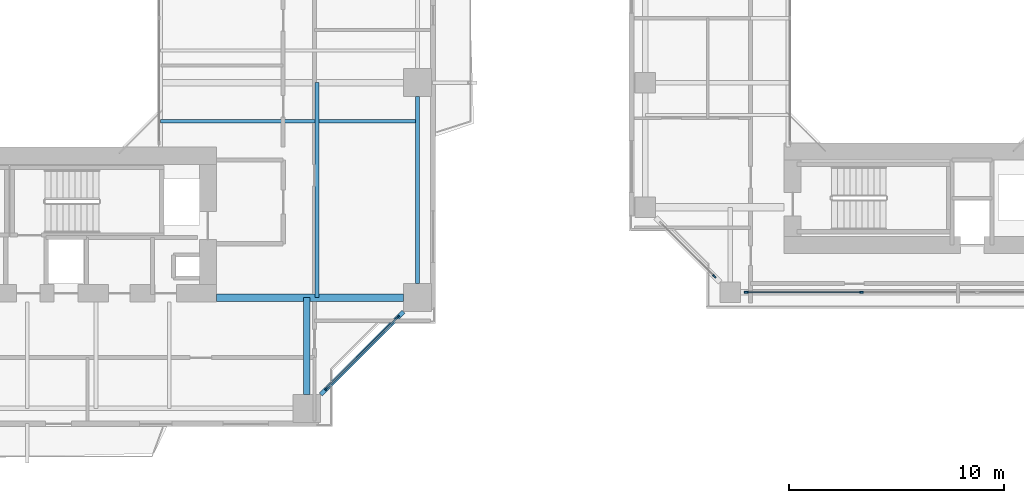
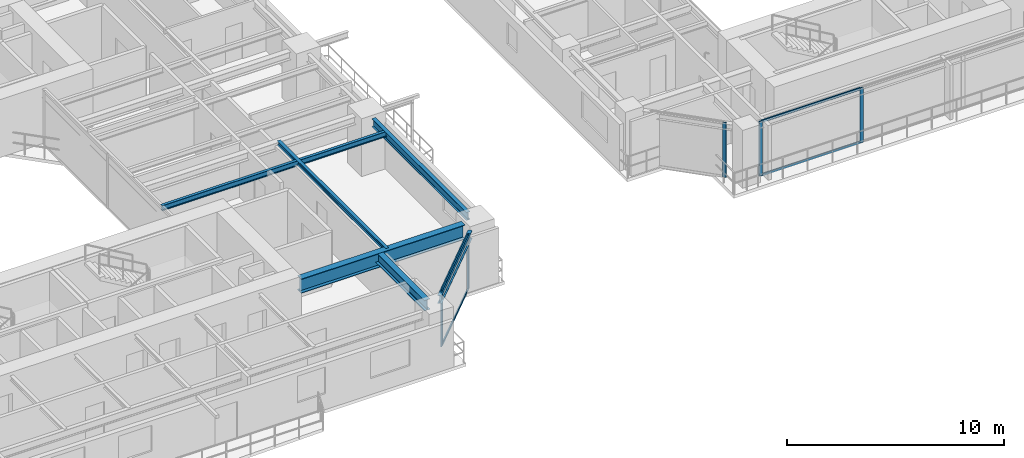
# One storey, part 5 of 23: 9 members, 6 beams, 3 elements without a shape of their own.
"""IFC4 building model written with IfcOpenShell, lengths in metres."""

from ifc_helpers import new_model, si_unit, direction, frame, origin, origin_2d, place, context, subcontext, project, spatial, rectangle, i_section, extrude, source, transform, mapped, material, layer, layer_set, material_profile, profile_set, type_object, element, aggregate, save


model = new_model("IFC4")

# Units and contexts
model_context = context("Model", 3, precision=1e-05, world=origin(), true_north=direction((0.0, 1.0)))
body_context = subcontext(model_context, "Body", "Model", "MODEL_VIEW")
ifc_project = project(units=[si_unit("LENGTHUNIT", "METRE"), si_unit("AREAUNIT", "SQUARE_METRE"), si_unit("VOLUMEUNIT", "CUBIC_METRE"), si_unit("PLANEANGLEUNIT", "RADIAN"), si_unit("MASSUNIT", "GRAM", prefix="KILO"), si_unit("THERMODYNAMICTEMPERATUREUNIT", "KELVIN"), si_unit("POWERUNIT", "WATT")], contexts=[model_context])

# Site, building, storey
site_placement = place(None, origin())
site = spatial("IfcSite", under=ifc_project, at=site_placement, CompositionType="ELEMENT")
building_placement = place(site_placement, origin())
building = spatial("IfcBuilding", under=site, at=building_placement, Name="Qiaomeng Ring Towers", CompositionType="ELEMENT")
storey_placement = place(building_placement, frame((0.0, 0.0, 60.0)))
storey = spatial("IfcBuildingStorey", under=building, at=storey_placement, Name="L16", CompositionType="ELEMENT", Elevation=60.0)

# Beams
ifc_material_1 = material(Name="Steel Q355B", Category="steel")
ifc_material_profile_1 = material_profile(ifc_material_1, i_section(OverallWidth=0.199951171875, OverallDepth=0.449951171875, WebThickness=0.009033203125, FlangeThickness=0.013916015625, FilletRadius=0.01806640625, at=origin_2d()), Name="HN 450x200x9x14")
ifc_profile_set_1 = profile_set([ifc_material_profile_1], Name="Steel Q355B")
beam_type_1 = type_object("IfcBeamType", Name="STR-BM-HN450", PredefinedType="SPANDREL", material=ifc_profile_set_1)
shared_shape_1 = source(origin(), body_context, "Body", "SweptSolid", [
    extrude(i_section(OverallWidth=0.199951171875, OverallDepth=0.449951171875, WebThickness=0.009033203125, FlangeThickness=0.013916015625, FilletRadius=0.01806640625, at=origin_2d()), origin(), (0.0, 0.0, 1.0), 5.446533203125),
])
beam_1_placement = place(storey_placement, frame((32.6494140625, 5.499267578125, 2.844970703125), z_axis=(0.707106781187, 0.707106781187, 0.0), x_axis=(-0.707106781187, 0.707106781187, 0.0)))
element("IfcBeam", 1, at=beam_1_placement, inside=storey, type_object=beam_type_1, Name="L16 beam STR-SP-L16-T1-S2-E1", PredefinedType="SPANDREL", context=body_context, shape_type="MappedRepresentation", body=[
    mapped(shared_shape_1, transform((0.0, 0.0, 0.0), x_axis=(1.0, 0.0, 0.0), y_axis=(0.0, 1.0, 0.0), z_axis=(0.0, 0.0, 1.0), scale=1.0)),
])
shared_shape_2 = source(origin(), body_context, "Body", "SweptSolid", [
    extrude(i_section(OverallWidth=0.199951171875, OverallDepth=0.449951171875, WebThickness=0.009033203125, FlangeThickness=0.013916015625, FilletRadius=0.01806640625, at=origin_2d()), origin(), (0.0, 0.0, 1.0), 8.7021484375),
])
beam_2_placement = place(storey_placement, frame((37.14990234375, 10.64892578125, 2.844970703125), z_axis=(0.0, 1.0, 0.0), x_axis=(-1.0, 0.0, 0.0)))
element("IfcBeam", 2, at=beam_2_placement, inside=storey, type_object=beam_type_1, Name="L16 beam STR-SP-L16-T1-E1-E2", PredefinedType="SPANDREL", context=body_context, shape_type="MappedRepresentation", body=[
    mapped(shared_shape_2, transform((0.0, 0.0, 0.0), x_axis=(1.0, 0.0, 0.0), y_axis=(0.0, 1.0, 0.0), z_axis=(0.0, 0.0, 1.0), scale=1.0)),
])
ifc_material_2 = material(Name="Steel Q390GJC", Category="steel")
ifc_material_profile_2 = material_profile(ifc_material_2, i_section(OverallWidth=0.35009765625, OverallDepth=0.800048828125, WebThickness=0.01611328125, FlangeThickness=0.028076171875, at=origin_2d()), Name="WH 800x350x16x28")
ifc_profile_set_2 = profile_set([ifc_material_profile_2], Name="Steel Q390GJC")
beam_type_2 = type_object("IfcBeamType", Name="STR-BM-WH800", PredefinedType="BEAM", material=ifc_profile_set_2)
shared_shape_3 = source(origin(), body_context, "Body", "SweptSolid", [
    extrude(i_section(OverallWidth=0.35009765625, OverallDepth=0.800048828125, WebThickness=0.01611328125, FlangeThickness=0.028076171875, at=origin_2d()), origin(), (0.0, 0.0, 1.0), 8.700927734375),
])
beam_3_placement = place(storey_placement, frame((27.800048828125, 10.0, 2.669921875), z_axis=(1.0, 0.0, 0.0), x_axis=(0.0, 1.0, 0.0)))
element("IfcBeam", 3, at=beam_3_placement, inside=storey, type_object=beam_type_2, Name="L16 beam STR-BM-L16-T1-RAD-E1", PredefinedType="BEAM", context=body_context, shape_type="MappedRepresentation", body=[
    mapped(shared_shape_3, transform((0.0, 0.0, 0.0), x_axis=(1.0, 0.0, 0.0), y_axis=(0.0, 1.0, 0.0), z_axis=(0.0, 0.0, 1.0), scale=1.0)),
])
ifc_material_profile_3 = material_profile(ifc_material_1, i_section(OverallWidth=0.300048828125, OverallDepth=0.587890625, WebThickness=0.011962890625, FlangeThickness=0.02001953125, FilletRadius=0.028076171875, at=origin_2d()), Name="HM 588x300x12x20")
ifc_profile_set_3 = profile_set([ifc_material_profile_3], Name="Steel Q355B")
beam_type_3 = type_object("IfcBeamType", Name="STR-BM-HM588", PredefinedType="BEAM", material=ifc_profile_set_3)
shared_shape_4 = source(origin(), body_context, "Body", "SweptSolid", [
    extrude(i_section(OverallWidth=0.300048828125, OverallDepth=0.587890625, WebThickness=0.011962890625, FlangeThickness=0.02001953125, FilletRadius=0.028076171875, at=origin_2d()), origin(), (0.0, 0.0, 1.0), 4.5009765625),
])
beam_4_placement = place(storey_placement, frame((32.0, 5.4990234375, 2.77587890625), z_axis=(0.0, 1.0, 0.0), x_axis=(-1.0, 0.0, 0.0)))
element("IfcBeam", 4, at=beam_4_placement, inside=storey, type_object=beam_type_3, Name="L16 beam STR-BM-L16-T1-RAD-S2", PredefinedType="BEAM", context=body_context, shape_type="MappedRepresentation", body=[
    mapped(shared_shape_4, transform((0.0, 0.0, 0.0), x_axis=(1.0, 0.0, 0.0), y_axis=(0.0, 1.0, 0.0), z_axis=(0.0, 0.0, 1.0), scale=1.0)),
])
ifc_material_profile_4 = material_profile(ifc_material_1, i_section(OverallWidth=0.14990234375, OverallDepth=0.300048828125, WebThickness=0.006591796875, FlangeThickness=0.009033203125, FilletRadius=0.012939453125, at=origin_2d()), Name="HN 300x150x6.5x9")
ifc_profile_set_4 = profile_set([ifc_material_profile_4], Name="Steel Q355B")
beam_type_4 = type_object("IfcBeamType", Name="STR-BM-HN300", PredefinedType="JOIST", material=ifc_profile_set_4)
shared_shape_5 = source(origin(), body_context, "Body", "SweptSolid", [
    extrude(i_section(OverallWidth=0.14990234375, OverallDepth=0.300048828125, WebThickness=0.006591796875, FlangeThickness=0.009033203125, FilletRadius=0.012939453125, at=origin_2d()), origin(), (0.0, 0.0, 1.0), 11.949951171875),
])
beam_5_placement = place(storey_placement, frame((25.199951171875, 18.199951171875, 2.919921875), z_axis=(1.0, 0.0, 0.0), x_axis=(0.0, 1.0, 0.0)))
element("IfcBeam", 5, at=beam_5_placement, inside=storey, type_object=beam_type_4, Name="L16 beam STR-JST-L16-T1E-1", PredefinedType="JOIST", context=body_context, shape_type="MappedRepresentation", body=[
    mapped(shared_shape_5, transform((0.0, 0.0, 0.0), x_axis=(1.0, 0.0, 0.0), y_axis=(0.0, 1.0, 0.0), z_axis=(0.0, 0.0, 1.0), scale=1.0)),
])
ifc_material_profile_5 = material_profile(ifc_material_1, i_section(OverallWidth=0.175048828125, OverallDepth=0.243896484375, WebThickness=0.007080078125, FlangeThickness=0.010986328125, FilletRadius=0.01611328125, at=origin_2d()), Name="HM 244x175x7x11")
ifc_profile_set_5 = profile_set([ifc_material_profile_5], Name="Steel Q355B")
beam_type_5 = type_object("IfcBeamType", Name="STR-BM-HM244", PredefinedType="JOIST", material=ifc_profile_set_5)
shared_shape_6 = source(origin(), body_context, "Body", "SweptSolid", [
    extrude(i_section(OverallWidth=0.175048828125, OverallDepth=0.243896484375, WebThickness=0.007080078125, FlangeThickness=0.010986328125, FilletRadius=0.01611328125, at=origin_2d()), origin(), (0.0, 0.0, 1.0), 10.0),
])
beam_6_placement = place(storey_placement, frame((32.47509765625, 10.0, 2.947998046875), z_axis=(0.0, 1.0, 0.0), x_axis=(-1.0, 0.0, 0.0)))
element("IfcBeam", 6, at=beam_6_placement, inside=storey, type_object=beam_type_5, Name="L16 beam STR-JST-L16-T1C-ES", PredefinedType="JOIST", context=body_context, shape_type="MappedRepresentation", body=[
    mapped(shared_shape_6, transform((0.0, 0.0, 0.0), x_axis=(1.0, 0.0, 0.0), y_axis=(0.0, 1.0, 0.0), z_axis=(0.0, 0.0, 1.0), scale=1.0)),
])

# Curtain wall, members
ifc_material_3 = material(Name="Fluorocarbon dark-grey aluminium", Category="aluminium")
ifc_layer_1 = layer(ifc_material_3, 0.159912109375, Name="Fluorocarbon dark-grey aluminium")
ifc_layer_set_1 = layer_set([ifc_layer_1], Name="Fluorocarbon dark-grey aluminium")
curtain_wall_type_1 = type_object("IfcCurtainWallType", Name="ARC-CW-2", PredefinedType="NOTDEFINED", material=ifc_layer_set_1)
curtain_wall_1_placement = place(storey_placement, origin())
curtain_wall_1 = element("IfcCurtainWall", 7, at=curtain_wall_1_placement, inside=storey, type_object=curtain_wall_type_1, Name="L16 Curtain Wall CW2", PredefinedType="NOTDEFINED")
ifc_material_profile_6 = material_profile(ifc_material_3, rectangle(XDim=0.070068359375, YDim=0.179931640625, at=origin_2d()), Name="ALU MULL 70x180")
ifc_profile_set_6 = profile_set([ifc_material_profile_6], Name="Fluorocarbon dark-grey aluminium")
member_type_1 = type_object("IfcMemberType", Name="ARC-CWM-160", PredefinedType="MULLION", material=ifc_profile_set_6)
shared_shape_7 = source(origin(), body_context, "Body", "SweptSolid", [
    extrude(rectangle(XDim=0.070068359375, YDim=0.179931640625, at=origin_2d()), origin(), (0.0, 0.0, 1.0), 3.070068359375),
])
member_1_placement = place(storey_placement, frame((32.914794921875, 5.7646484375, 0.0), z_axis=(0.0, 0.0, 1.0), x_axis=(-0.707106781187, 0.707106781187, 0.0)))
member_1 = element("IfcMember", 8, at=member_1_placement, type_object=member_type_1, Name="CW2 mullion 1", PredefinedType="MULLION", context=body_context, shape_type="MappedRepresentation", body=[
    mapped(shared_shape_7, transform((0.0, 0.0, 0.0), x_axis=(1.0, 0.0, 0.0), y_axis=(0.0, 1.0, 0.0), z_axis=(0.0, 0.0, 1.0), scale=1.0)),
])
member_2_placement = place(storey_placement, frame((36.2353515625, 9.085205078125, 0.0), z_axis=(0.0, 0.0, 1.0), x_axis=(-0.707106781187, 0.707106781187, 0.0)))
member_2 = element("IfcMember", 9, at=member_2_placement, type_object=member_type_1, Name="CW2 mullion 2", PredefinedType="MULLION", context=body_context, shape_type="MappedRepresentation", body=[
    mapped(shared_shape_7, transform((0.0, 0.0, 0.0), x_axis=(1.0, 0.0, 0.0), y_axis=(0.0, 1.0, 0.0), z_axis=(0.0, 0.0, 1.0), scale=1.0)),
])

# Curtain wall, member
ifc_layer_2 = layer(ifc_material_3, 0.14990234375, Name="Fluorocarbon dark-grey aluminium")
ifc_layer_set_2 = layer_set([ifc_layer_2], Name="Fluorocarbon dark-grey aluminium")
curtain_wall_type_2 = type_object("IfcCurtainWallType", Name="ARC-CW-5", PredefinedType="NOTDEFINED", material=ifc_layer_set_2)
curtain_wall_2_placement = place(storey_placement, origin())
curtain_wall_2 = element("IfcCurtainWall", 10, at=curtain_wall_2_placement, inside=storey, type_object=curtain_wall_type_2, Name="L16 Curtain Wall CW5", PredefinedType="NOTDEFINED")
member_3_placement = place(storey_placement, frame((50.960205078125, 10.98974609375, 0.0), z_axis=(0.0, 0.0, 1.0), x_axis=(0.707106781187, 0.707106781187, 0.0)))
member_3 = element("IfcMember", 11, at=member_3_placement, type_object=member_type_1, Name="CW5 mullion 2", PredefinedType="MULLION", context=body_context, shape_type="MappedRepresentation", body=[
    mapped(shared_shape_7, transform((0.0, 0.0, 0.0), x_axis=(1.0, 0.0, 0.0), y_axis=(0.0, 1.0, 0.0), z_axis=(0.0, 0.0, 1.0), scale=1.0)),
])
aggregate(curtain_wall_2, [member_3])

# Curtain wall, members
curtain_wall_3_placement = place(storey_placement, origin())
curtain_wall_3 = element("IfcCurtainWall", 12, at=curtain_wall_3_placement, inside=storey, type_object=curtain_wall_type_2, Name="L16 Curtain Wall CW5", PredefinedType="NOTDEFINED")
member_4_placement = place(storey_placement, frame((52.449951171875, 10.25, 0.0), z_axis=(0.0, 0.0, 1.0), x_axis=(0.0, 1.0, 0.0)))
member_4 = element("IfcMember", 13, at=member_4_placement, type_object=member_type_1, Name="CW5 mullion 1", PredefinedType="MULLION", context=body_context, shape_type="MappedRepresentation", body=[
    mapped(shared_shape_7, transform((0.0, 0.0, 0.0), x_axis=(1.0, 0.0, 0.0), y_axis=(0.0, 1.0, 0.0), z_axis=(0.0, 0.0, 1.0), scale=1.0)),
])
member_5_placement = place(storey_placement, frame((57.804931640625, 10.25, 0.0), z_axis=(0.0, 0.0, 1.0), x_axis=(0.0, 1.0, 0.0)))
member_5 = element("IfcMember", 14, at=member_5_placement, type_object=member_type_1, Name="CW5 mullion 2", PredefinedType="MULLION", context=body_context, shape_type="MappedRepresentation", body=[
    mapped(shared_shape_7, transform((0.0, 0.0, 0.0), x_axis=(1.0, 0.0, 0.0), y_axis=(0.0, 1.0, 0.0), z_axis=(0.0, 0.0, 1.0), scale=1.0)),
])

# Member
ifc_material_profile_7 = material_profile(ifc_material_3, rectangle(XDim=0.06494140625, YDim=0.1298828125, at=origin_2d()), Name="ALU TRAN 65x130")
ifc_profile_set_7 = profile_set([ifc_material_profile_7], Name="Fluorocarbon dark-grey aluminium")
member_type_2 = type_object("IfcMemberType", Name="ARC-CWT-120", PredefinedType="USERDEFINED", material=ifc_profile_set_7)
shared_shape_8 = source(origin(), body_context, "Body", "SweptSolid", [
    extrude(rectangle(XDim=0.06494140625, YDim=0.1298828125, at=origin_2d()), origin(), (0.0, 0.0, 1.0), 4.6259765625),
])
member_6_placement = place(storey_placement, frame((32.939453125, 5.78955078125, 0.032470703125), z_axis=(0.707106781187, 0.707106781187, 0.0), x_axis=(-0.707106781187, 0.707106781187, 0.0)))
member_6 = element("IfcMember", 15, at=member_6_placement, type_object=member_type_2, Name="CW2 transom 1.1", ObjectType="TRANSOM", PredefinedType="USERDEFINED", context=body_context, shape_type="MappedRepresentation", body=[
    mapped(shared_shape_8, transform((0.0, 0.0, 0.0), x_axis=(1.0, 0.0, 0.0), y_axis=(0.0, 1.0, 0.0), z_axis=(0.0, 0.0, 1.0), scale=1.0)),
])

member_7_placement = place(storey_placement, frame((32.939453125, 5.78955078125, 3.03759765625), z_axis=(0.707106781187, 0.707106781187, 0.0), x_axis=(-0.707106781187, 0.707106781187, 0.0)))
member_7 = element("IfcMember", 16, at=member_7_placement, type_object=member_type_2, Name="CW2 transom 1.2", ObjectType="TRANSOM", PredefinedType="USERDEFINED", context=body_context, shape_type="MappedRepresentation", body=[
    mapped(shared_shape_8, transform((0.0, 0.0, 0.0), x_axis=(1.0, 0.0, 0.0), y_axis=(0.0, 1.0, 0.0), z_axis=(0.0, 0.0, 1.0), scale=1.0)),
])

aggregate(curtain_wall_1, [member_1, member_2, member_6, member_7])

shared_shape_9 = source(origin(), body_context, "Body", "SweptSolid", [
    extrude(rectangle(XDim=0.06494140625, YDim=0.1298828125, at=origin_2d()), origin(), (0.0, 0.0, 1.0), 5.284912109375),
])
member_8_placement = place(storey_placement, frame((52.485107421875, 10.25, 0.032470703125), z_axis=(1.0, 0.0, 0.0), x_axis=(0.0, 1.0, 0.0)))
member_8 = element("IfcMember", 17, at=member_8_placement, type_object=member_type_2, Name="CW5 transom 1.1", ObjectType="TRANSOM", PredefinedType="USERDEFINED", context=body_context, shape_type="MappedRepresentation", body=[
    mapped(shared_shape_9, transform((0.0, 0.0, 0.0), x_axis=(1.0, 0.0, 0.0), y_axis=(0.0, 1.0, 0.0), z_axis=(0.0, 0.0, 1.0), scale=1.0)),
])

member_9_placement = place(storey_placement, frame((52.485107421875, 10.25, 3.03759765625), z_axis=(1.0, 0.0, 0.0), x_axis=(0.0, 1.0, 0.0)))
member_9 = element("IfcMember", 18, at=member_9_placement, type_object=member_type_2, Name="CW5 transom 1.2", ObjectType="TRANSOM", PredefinedType="USERDEFINED", context=body_context, shape_type="MappedRepresentation", body=[
    mapped(shared_shape_9, transform((0.0, 0.0, 0.0), x_axis=(1.0, 0.0, 0.0), y_axis=(0.0, 1.0, 0.0), z_axis=(0.0, 0.0, 1.0), scale=1.0)),
])

aggregate(curtain_wall_3, [member_4, member_5, member_8, member_9])

save(model, "model.ifc")
